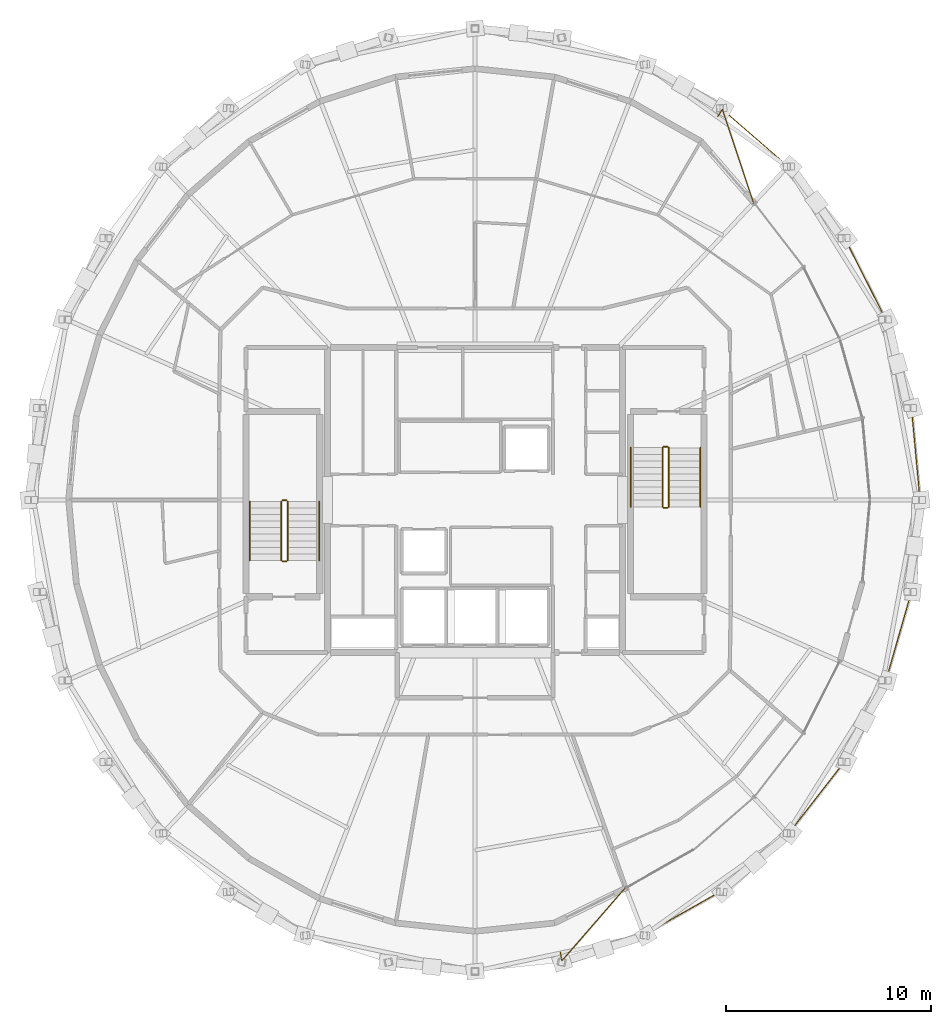
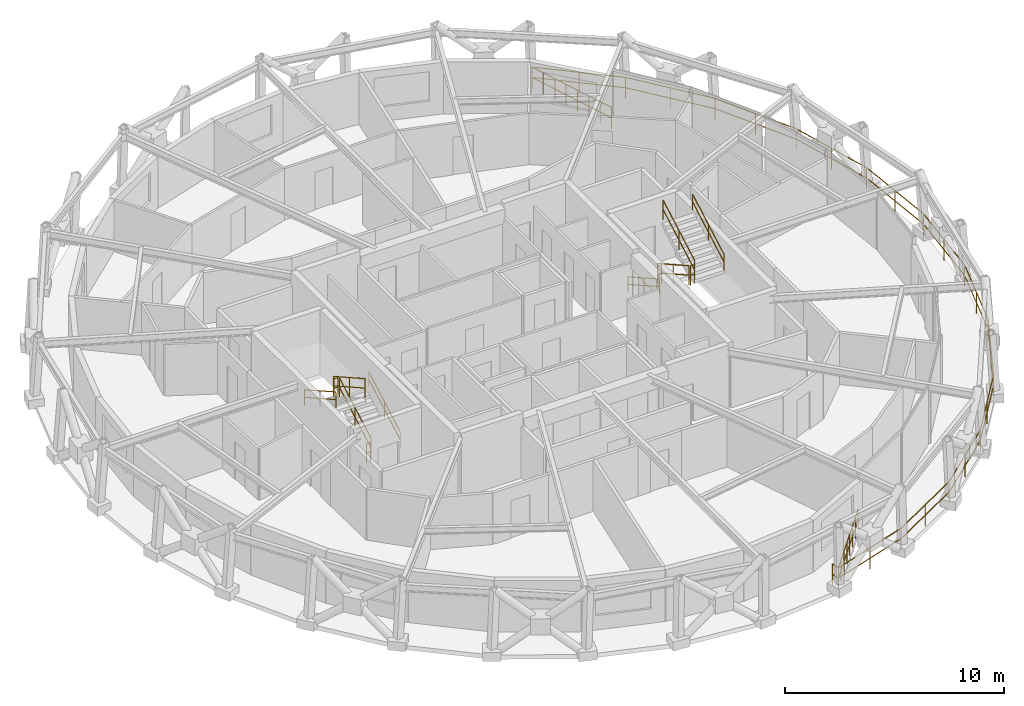
# One storey, part 15 of 15: 15 railings.
"""IFC4 building model written with IfcOpenShell, lengths in metres."""

from ifc_helpers import new_model, si_unit, direction, frame, origin, origin_2d, place, context, subcontext, project, spatial, circle, extrude, material, type_object, element, save


model = new_model("IFC4")

# Units and contexts
model_context = context("Model", 3, precision=1e-05, world=origin(), true_north=direction((0.0, 1.0)))
body_context = subcontext(model_context, "Body", "Model", "MODEL_VIEW")
ifc_project = project(units=[si_unit("LENGTHUNIT", "METRE"), si_unit("AREAUNIT", "SQUARE_METRE"), si_unit("VOLUMEUNIT", "CUBIC_METRE"), si_unit("PLANEANGLEUNIT", "RADIAN"), si_unit("MASSUNIT", "GRAM", prefix="KILO")], contexts=[model_context])

# Site, building, storey
site_placement = place(None, origin())
site = spatial("IfcSite", under=ifc_project, at=site_placement, CompositionType="ELEMENT")
building_placement = place(site_placement, origin())
building = spatial("IfcBuilding", under=site, at=building_placement, Name="Veldorina Hangang Commons", CompositionType="ELEMENT")
storey_placement = place(building_placement, frame((0.0, 0.0, 265.199951171875)))
storey = spatial("IfcBuildingStorey", under=building, at=storey_placement, Name="L69", CompositionType="ELEMENT", Elevation=265.199951171875)

# Railings
ifc_material_1 = material(Name="Glass Laminated Safety Balustrade", Category="glass")
railing_type_1 = type_object("IfcRailingType", Name="RL-BAL-LOGGIA", PredefinedType="BALUSTRADE", material=ifc_material_1)
railing_1_placement = place(storey_placement, frame((36.15966796875, 1.92431640625, 0.0)))
element("IfcRailing", 1, at=railing_1_placement, inside=storey, type_object=railing_type_1, Name="L69 sky-garden loggia end balustrade A", PredefinedType="BALUSTRADE", context=body_context, shape_type="SweptSolid", body=[
    extrude(circle(Radius=0.02392578125, at=origin_2d()), frame((0.0, 0.0, 1.17578125), z_axis=(0.185482013818, -0.982647659413, 0.0), x_axis=(0.982647659413, 0.185482013818, 0.0)), (0.0, 0.0, 1.0), 0.419921875),
    extrude(circle(Radius=0.02392578125, at=origin_2d()), frame((0.0, 0.0, 0.60009765625), z_axis=(0.185482013818, -0.982647659413, 0.0), x_axis=(0.982647659413, 0.185482013818, 0.0)), (0.0, 0.0, 1.0), 0.419921875),
    extrude(circle(Radius=0.02392578125, at=origin_2d()), frame((0.077880859375, -0.41259765625, 1.17578125), z_axis=(0.655895740916, 0.754851493374, 0.0), x_axis=(-0.754851493374, 0.655895740916, 0.0)), (0.0, 0.0, 1.0), 4.76416015625),
    extrude(circle(Radius=0.02392578125, at=origin_2d()), frame((0.077880859375, -0.41259765625, 0.60009765625), z_axis=(0.655895740916, 0.754851493374, 0.0), x_axis=(-0.754851493374, 0.655895740916, 0.0)), (0.0, 0.0, 1.0), 4.76416015625),
    extrude(circle(Radius=0.02099609375, at=origin_2d()), origin(), (0.0, 0.0, 1.0), 1.15185546875),
    extrude(circle(Radius=0.02099609375, at=origin_2d()), frame((0.077880859375, -0.41259765625, 0.0)), (0.0, 0.0, 1.0), 1.15185546875),
    extrude(circle(Radius=0.02099609375, at=origin_2d()), frame((0.524169921875, 0.10107421875, 0.0)), (0.0, 0.0, 1.0), 1.15185546875),
    extrude(circle(Radius=0.02099609375, at=origin_2d()), frame((0.970703125, 0.614990234375, 0.0)), (0.0, 0.0, 1.0), 1.15185546875),
    extrude(circle(Radius=0.02099609375, at=origin_2d()), frame((1.4169921875, 1.128662109375, 0.0)), (0.0, 0.0, 1.0), 1.15185546875),
    extrude(circle(Radius=0.02099609375, at=origin_2d()), frame((1.863525390625, 1.642333984375, 0.0)), (0.0, 0.0, 1.0), 1.15185546875),
    extrude(circle(Radius=0.02099609375, at=origin_2d()), frame((2.309814453125, 2.156005859375, 0.0)), (0.0, 0.0, 1.0), 1.15185546875),
    extrude(circle(Radius=0.02099609375, at=origin_2d()), frame((2.75634765625, 2.669921875, 0.0)), (0.0, 0.0, 1.0), 1.15185546875),
    extrude(circle(Radius=0.02099609375, at=origin_2d()), frame((3.20263671875, 3.18359375, 0.0)), (0.0, 0.0, 1.0), 1.15185546875),
])
railing_2_placement = place(storey_placement, frame((43.842041015625, 42.708984375, 0.0)))
element("IfcRailing", 2, at=railing_2_placement, inside=storey, type_object=railing_type_1, Name="L69 sky-garden loggia end balustrade B", PredefinedType="BALUSTRADE", context=body_context, shape_type="SweptSolid", body=[
    extrude(circle(Radius=0.02392578125, at=origin_2d()), frame((0.0, 0.0, 1.17578125), z_axis=(0.534955242341, 0.844880399046, 0.0), x_axis=(-0.844880399046, 0.534955242341, 0.0)), (0.0, 0.0, 1.0), 0.419921875),
    extrude(circle(Radius=0.02392578125, at=origin_2d()), frame((0.0, 0.0, 0.60009765625), z_axis=(0.534955242341, 0.844880399046, 0.0), x_axis=(-0.844880399046, 0.534955242341, 0.0)), (0.0, 0.0, 1.0), 0.419921875),
    extrude(circle(Radius=0.02392578125, at=origin_2d()), frame((0.224609375, 0.354736328125, 1.17578125), z_axis=(0.31649933997, -0.948592730205, 0.0), x_axis=(0.948592730205, 0.31649933997, 0.0)), (0.0, 0.0, 1.0), 4.854248046875),
    extrude(circle(Radius=0.02392578125, at=origin_2d()), frame((0.224609375, 0.354736328125, 0.60009765625), z_axis=(0.31649933997, -0.948592730205, 0.0), x_axis=(0.948592730205, 0.31649933997, 0.0)), (0.0, 0.0, 1.0), 4.854248046875),
    extrude(circle(Radius=0.02099609375, at=origin_2d()), origin(), (0.0, 0.0, 1.0), 1.15185546875),
    extrude(circle(Radius=0.02099609375, at=origin_2d()), frame((0.224609375, 0.354736328125, 0.0)), (0.0, 0.0, 1.0), 1.15185546875),
    extrude(circle(Radius=0.02099609375, at=origin_2d()), frame((0.444091796875, -0.302978515625, 0.0)), (0.0, 0.0, 1.0), 1.15185546875),
    extrude(circle(Radius=0.02099609375, at=origin_2d()), frame((0.66357421875, -0.9609375, 0.0)), (0.0, 0.0, 1.0), 1.15185546875),
    extrude(circle(Radius=0.02099609375, at=origin_2d()), frame((0.883056640625, -1.61865234375, 0.0)), (0.0, 0.0, 1.0), 1.15185546875),
    extrude(circle(Radius=0.02099609375, at=origin_2d()), frame((1.1025390625, -2.276611328125, 0.0)), (0.0, 0.0, 1.0), 1.15185546875),
    extrude(circle(Radius=0.02099609375, at=origin_2d()), frame((1.322021484375, -2.934326171875, 0.0)), (0.0, 0.0, 1.0), 1.15185546875),
    extrude(circle(Radius=0.02099609375, at=origin_2d()), frame((1.54150390625, -3.59228515625, 0.0)), (0.0, 0.0, 1.0), 1.15185546875),
    extrude(circle(Radius=0.02099609375, at=origin_2d()), frame((1.760986328125, -4.25, 0.0)), (0.0, 0.0, 1.0), 1.15185546875),
])
railing_3_placement = place(storey_placement, frame((36.237548828125, 1.51171875, 0.0)))
element("IfcRailing", 3, at=railing_3_placement, inside=storey, type_object=railing_type_1, Name="L69 sky-garden loggia outer balustrade", PredefinedType="BALUSTRADE", context=body_context, shape_type="SweptSolid", body=[
    extrude(circle(Radius=0.02392578125, at=origin_2d()), frame((0.0, 0.0, 1.17578125), z_axis=(0.952332670234, 0.305061444968, 0.0), x_axis=(-0.305061444968, 0.952332670234, 0.0)), (0.0, 0.0, 1.0), 4.2783203125),
    extrude(circle(Radius=0.02392578125, at=origin_2d()), frame((0.0, 0.0, 0.60009765625), z_axis=(0.952332670234, 0.305061444968, 0.0), x_axis=(-0.305061444968, 0.952332670234, 0.0)), (0.0, 0.0, 1.0), 4.2783203125),
    extrude(circle(Radius=0.02392578125, at=origin_2d()), frame((4.074462890625, 1.30517578125, 1.17578125), z_axis=(0.870841120806, 0.491564586106, 0.0), x_axis=(-0.491564586106, 0.870841120806, 0.0)), (0.0, 0.0, 1.0), 4.3115234375),
    extrude(circle(Radius=0.02392578125, at=origin_2d()), frame((4.074462890625, 1.30517578125, 0.60009765625), z_axis=(0.870841120806, 0.491564586106, 0.0), x_axis=(-0.491564586106, 0.870841120806, 0.0)), (0.0, 0.0, 1.0), 4.3115234375),
    extrude(circle(Radius=0.02392578125, at=origin_2d()), frame((7.8291015625, 3.424560546875, 1.17578125), z_axis=(0.755711281008, 0.654904924212, 0.0), x_axis=(-0.654904924212, 0.755711281008, 0.0)), (0.0, 0.0, 1.0), 4.3544921875),
    extrude(circle(Radius=0.02392578125, at=origin_2d()), frame((7.8291015625, 3.424560546875, 0.60009765625), z_axis=(0.755711281008, 0.654904924212, 0.0), x_axis=(-0.654904924212, 0.755711281008, 0.0)), (0.0, 0.0, 1.0), 4.3544921875),
    extrude(circle(Radius=0.02392578125, at=origin_2d()), frame((11.119873046875, 6.2763671875, 1.17578125), z_axis=(0.613591039447, 0.789623984128, 0.0), x_axis=(-0.789623984128, 0.613591039447, 0.0)), (0.0, 0.0, 1.0), 4.400634765625),
    extrude(circle(Radius=0.02392578125, at=origin_2d()), frame((11.119873046875, 6.2763671875, 0.60009765625), z_axis=(0.613591039447, 0.789623984128, 0.0), x_axis=(-0.789623984128, 0.613591039447, 0.0)), (0.0, 0.0, 1.0), 4.400634765625),
    extrude(circle(Radius=0.02392578125, at=origin_2d()), frame((13.820068359375, 9.751220703125, 1.17578125), z_axis=(0.45160444009, 0.892218263482, 0.0), x_axis=(-0.892218263482, 0.45160444009, 0.0)), (0.0, 0.0, 1.0), 4.442626953125),
    extrude(circle(Radius=0.02392578125, at=origin_2d()), frame((13.820068359375, 9.751220703125, 0.60009765625), z_axis=(0.45160444009, 0.892218263482, 0.0), x_axis=(-0.892218263482, 0.45160444009, 0.0)), (0.0, 0.0, 1.0), 4.442626953125),
    extrude(circle(Radius=0.02392578125, at=origin_2d()), frame((15.826416015625, 13.715087890625, 1.17578125), z_axis=(0.276075600124, 0.961135923278, 0.0), x_axis=(-0.961135923278, 0.276075600124, 0.0)), (0.0, 0.0, 1.0), 4.474609375),
    extrude(circle(Radius=0.02392578125, at=origin_2d()), frame((15.826416015625, 13.715087890625, 0.60009765625), z_axis=(0.276075600124, 0.961135923278, 0.0), x_axis=(-0.961135923278, 0.276075600124, 0.0)), (0.0, 0.0, 1.0), 4.474609375),
    extrude(circle(Radius=0.02392578125, at=origin_2d()), frame((17.061767578125, 18.015869140625, 1.17578125), z_axis=(0.092833898621, 0.995681609385, 0.0), x_axis=(-0.995681609385, 0.092833898621, 0.0)), (0.0, 0.0, 1.0), 4.49169921875),
    extrude(circle(Radius=0.02392578125, at=origin_2d()), frame((17.061767578125, 18.015869140625, 0.60009765625), z_axis=(0.092833898621, 0.995681609385, 0.0), x_axis=(-0.995681609385, 0.092833898621, 0.0)), (0.0, 0.0, 1.0), 4.49169921875),
    extrude(circle(Radius=0.02392578125, at=origin_2d()), frame((17.478759765625, 22.48828125, 1.17578125), z_axis=(-0.092833898621, 0.995681609385, 0.0), x_axis=(-0.995681609385, -0.092833898621, 0.0)), (0.0, 0.0, 1.0), 4.49169921875),
    extrude(circle(Radius=0.02392578125, at=origin_2d()), frame((17.478759765625, 22.48828125, 0.60009765625), z_axis=(-0.092833898621, 0.995681609385, 0.0), x_axis=(-0.995681609385, -0.092833898621, 0.0)), (0.0, 0.0, 1.0), 4.49169921875),
    extrude(circle(Radius=0.02392578125, at=origin_2d()), frame((17.061767578125, 26.960693359375, 1.17578125), z_axis=(-0.276075600124, 0.961135923278, 0.0), x_axis=(-0.961135923278, -0.276075600124, 0.0)), (0.0, 0.0, 1.0), 4.474609375),
    extrude(circle(Radius=0.02392578125, at=origin_2d()), frame((17.061767578125, 26.960693359375, 0.60009765625), z_axis=(-0.276075600124, 0.961135923278, 0.0), x_axis=(-0.961135923278, -0.276075600124, 0.0)), (0.0, 0.0, 1.0), 4.474609375),
    extrude(circle(Radius=0.02392578125, at=origin_2d()), frame((15.826416015625, 31.261474609375, 1.17578125), z_axis=(-0.45160444009, 0.892218263482, 0.0), x_axis=(-0.892218263482, -0.45160444009, 0.0)), (0.0, 0.0, 1.0), 4.442626953125),
    extrude(circle(Radius=0.02392578125, at=origin_2d()), frame((15.826416015625, 31.261474609375, 0.60009765625), z_axis=(-0.45160444009, 0.892218263482, 0.0), x_axis=(-0.892218263482, -0.45160444009, 0.0)), (0.0, 0.0, 1.0), 4.442626953125),
    extrude(circle(Radius=0.02392578125, at=origin_2d()), frame((13.820068359375, 35.225341796875, 1.17578125), z_axis=(-0.613591039447, 0.789623984128, 0.0), x_axis=(-0.789623984128, -0.613591039447, 0.0)), (0.0, 0.0, 1.0), 4.400634765625),
    extrude(circle(Radius=0.02392578125, at=origin_2d()), frame((13.820068359375, 35.225341796875, 0.60009765625), z_axis=(-0.613591039447, 0.789623984128, 0.0), x_axis=(-0.789623984128, -0.613591039447, 0.0)), (0.0, 0.0, 1.0), 4.400634765625),
    extrude(circle(Radius=0.02392578125, at=origin_2d()), frame((11.119873046875, 38.7001953125, 1.17578125), z_axis=(-0.755711281008, 0.654904924212, 0.0), x_axis=(-0.654904924212, -0.755711281008, 0.0)), (0.0, 0.0, 1.0), 4.3544921875),
    extrude(circle(Radius=0.02392578125, at=origin_2d()), frame((11.119873046875, 38.7001953125, 0.60009765625), z_axis=(-0.755711281008, 0.654904924212, 0.0), x_axis=(-0.654904924212, -0.755711281008, 0.0)), (0.0, 0.0, 1.0), 4.3544921875),
    extrude(circle(Radius=0.02099609375, at=origin_2d()), origin(), (0.0, 0.0, 1.0), 1.15185546875),
    extrude(circle(Radius=0.02099609375, at=origin_2d()), frame((2.037109375, 0.652587890625, 0.0)), (0.0, 0.0, 1.0), 1.15185546875),
    extrude(circle(Radius=0.02099609375, at=origin_2d()), frame((4.074462890625, 1.30517578125, 0.0)), (0.0, 0.0, 1.0), 1.15185546875),
    extrude(circle(Radius=0.02099609375, at=origin_2d()), frame((5.95166015625, 2.36474609375, 0.0)), (0.0, 0.0, 1.0), 1.15185546875),
    extrude(circle(Radius=0.02099609375, at=origin_2d()), frame((7.8291015625, 3.424560546875, 0.0)), (0.0, 0.0, 1.0), 1.15185546875),
    extrude(circle(Radius=0.02099609375, at=origin_2d()), frame((9.474609375, 4.8505859375, 0.0)), (0.0, 0.0, 1.0), 1.15185546875),
    extrude(circle(Radius=0.02099609375, at=origin_2d()), frame((11.119873046875, 6.2763671875, 0.0)), (0.0, 0.0, 1.0), 1.15185546875),
    extrude(circle(Radius=0.02099609375, at=origin_2d()), frame((12.469970703125, 8.013671875, 0.0)), (0.0, 0.0, 1.0), 1.15185546875),
    extrude(circle(Radius=0.02099609375, at=origin_2d()), frame((13.820068359375, 9.751220703125, 0.0)), (0.0, 0.0, 1.0), 1.15185546875),
    extrude(circle(Radius=0.02099609375, at=origin_2d()), frame((14.8232421875, 11.733154296875, 0.0)), (0.0, 0.0, 1.0), 1.15185546875),
    extrude(circle(Radius=0.02099609375, at=origin_2d()), frame((15.826416015625, 13.715087890625, 0.0)), (0.0, 0.0, 1.0), 1.15185546875),
    extrude(circle(Radius=0.02099609375, at=origin_2d()), frame((16.444091796875, 15.865478515625, 0.0)), (0.0, 0.0, 1.0), 1.15185546875),
    extrude(circle(Radius=0.02099609375, at=origin_2d()), frame((17.061767578125, 18.015869140625, 0.0)), (0.0, 0.0, 1.0), 1.15185546875),
    extrude(circle(Radius=0.02099609375, at=origin_2d()), frame((17.270263671875, 20.251953125, 0.0)), (0.0, 0.0, 1.0), 1.15185546875),
    extrude(circle(Radius=0.02099609375, at=origin_2d()), frame((17.478759765625, 22.48828125, 0.0)), (0.0, 0.0, 1.0), 1.15185546875),
    extrude(circle(Radius=0.02099609375, at=origin_2d()), frame((17.270263671875, 24.724609375, 0.0)), (0.0, 0.0, 1.0), 1.15185546875),
    extrude(circle(Radius=0.02099609375, at=origin_2d()), frame((17.061767578125, 26.960693359375, 0.0)), (0.0, 0.0, 1.0), 1.15185546875),
    extrude(circle(Radius=0.02099609375, at=origin_2d()), frame((16.444091796875, 29.111083984375, 0.0)), (0.0, 0.0, 1.0), 1.15185546875),
    extrude(circle(Radius=0.02099609375, at=origin_2d()), frame((15.826416015625, 31.261474609375, 0.0)), (0.0, 0.0, 1.0), 1.15185546875),
    extrude(circle(Radius=0.02099609375, at=origin_2d()), frame((14.8232421875, 33.243408203125, 0.0)), (0.0, 0.0, 1.0), 1.15185546875),
    extrude(circle(Radius=0.02099609375, at=origin_2d()), frame((13.820068359375, 35.225341796875, 0.0)), (0.0, 0.0, 1.0), 1.15185546875),
    extrude(circle(Radius=0.02099609375, at=origin_2d()), frame((12.469970703125, 36.962890625, 0.0)), (0.0, 0.0, 1.0), 1.15185546875),
    extrude(circle(Radius=0.02099609375, at=origin_2d()), frame((11.119873046875, 38.7001953125, 0.0)), (0.0, 0.0, 1.0), 1.15185546875),
    extrude(circle(Radius=0.02099609375, at=origin_2d()), frame((9.474609375, 40.1259765625, 0.0)), (0.0, 0.0, 1.0), 1.15185546875),
    extrude(circle(Radius=0.02099609375, at=origin_2d()), frame((7.8291015625, 41.552001953125, 0.0)), (0.0, 0.0, 1.0), 1.15185546875),
])
ifc_material_2 = material(Name="Steel Painted Balustrade", Category="steel")
railing_type_2 = type_object("IfcRailingType", Name="RL-GRD-STAIR", PredefinedType="GUARDRAIL", material=ifc_material_2)
railing_4_placement = place(storey_placement, frame((22.85009765625, 21.050048828125, 0.179931640625)))
element("IfcRailing", 4, at=railing_4_placement, inside=storey, type_object=railing_type_2, Name="L69 ST-1 stair guard 1", PredefinedType="GUARDRAIL", context=body_context, shape_type="SweptSolid", body=[
    extrude(circle(Radius=0.02392578125, at=origin_2d()), frame((0.0, 0.0, 1.076171875), z_axis=(0.0, 0.87155185771, 0.490303333991), x_axis=(-1.0, 0.0, 0.0)), (0.0, 0.0, 1.0), 3.30419921875),
    extrude(circle(Radius=0.02392578125, at=origin_2d()), frame((0.0, 0.0, 0.550048828125), z_axis=(0.0, 0.87155185771, 0.490303333991), x_axis=(-1.0, 0.0, 0.0)), (0.0, 0.0, 1.0), 3.30419921875),
    extrude(circle(Radius=0.02099609375, at=origin_2d()), origin(), (0.0, 0.0, 1.0), 1.052001953125),
    extrude(circle(Radius=0.02099609375, at=origin_2d()), frame((0.0, 1.43994140625, 0.81005859375)), (0.0, 0.0, 1.0), 1.052001953125),
    extrude(circle(Radius=0.02099609375, at=origin_2d()), frame((0.0, 2.8798828125, 1.6201171875)), (0.0, 0.0, 1.0), 1.052001953125),
])
railing_5_placement = place(storey_placement, frame((22.800048828125, 23.97998046875, 1.800048828125)))
element("IfcRailing", 5, at=railing_5_placement, inside=storey, type_object=railing_type_2, Name="L69 ST-1 stair guard 2", PredefinedType="GUARDRAIL", context=body_context, shape_type="SweptSolid", body=[
    extrude(circle(Radius=0.02392578125, at=origin_2d()), frame((0.0, 0.0, 1.076171875), z_axis=(-1.0, 0.0, 0.0), x_axis=(0.0, -1.0, 0.0)), (0.0, 0.0, 1.0), 0.199951171875),
    extrude(circle(Radius=0.02392578125, at=origin_2d()), frame((0.0, 0.0, 0.550048828125), z_axis=(-1.0, 0.0, 0.0), x_axis=(0.0, -1.0, 0.0)), (0.0, 0.0, 1.0), 0.199951171875),
    extrude(circle(Radius=0.02099609375, at=origin_2d()), origin(), (0.0, 0.0, 1.0), 1.052001953125),
    extrude(circle(Radius=0.02099609375, at=origin_2d()), frame((-0.199951171875, 0.0, 0.0)), (0.0, 0.0, 1.0), 1.052001953125),
])
railing_6_placement = place(storey_placement, frame((22.550048828125, 23.929931640625, 1.97998046875)))
element("IfcRailing", 6, at=railing_6_placement, inside=storey, type_object=railing_type_2, Name="L69 ST-1 stair guard 3", PredefinedType="GUARDRAIL", context=body_context, shape_type="SweptSolid", body=[
    extrude(circle(Radius=0.02392578125, at=origin_2d()), frame((0.0, 0.0, 1.076171875), z_axis=(0.0, -0.87155185771, 0.490303333991), x_axis=(1.0, 0.0, 0.0)), (0.0, 0.0, 1.0), 3.30419921875),
    extrude(circle(Radius=0.02392578125, at=origin_2d()), frame((0.0, 0.0, 0.550048828125), z_axis=(0.0, -0.87155185771, 0.490303333991), x_axis=(1.0, 0.0, 0.0)), (0.0, 0.0, 1.0), 3.30419921875),
    extrude(circle(Radius=0.02099609375, at=origin_2d()), origin(), (0.0, 0.0, 1.0), 1.052001953125),
    extrude(circle(Radius=0.02099609375, at=origin_2d()), frame((0.0, -1.43994140625, 0.81005859375)), (0.0, 0.0, 1.0), 1.052001953125),
    extrude(circle(Radius=0.02099609375, at=origin_2d()), frame((0.0, -2.8798828125, 1.6201171875)), (0.0, 0.0, 1.0), 1.052001953125),
])
railing_7_placement = place(storey_placement, frame((22.800048828125, 21.0, 0.0)))
element("IfcRailing", 7, at=railing_7_placement, inside=storey, type_object=railing_type_2, Name="L69 ST-1 stair guard 4", PredefinedType="GUARDRAIL", context=body_context, shape_type="SweptSolid", body=[
    extrude(circle(Radius=0.02392578125, at=origin_2d()), frame((0.0, 0.0, 1.076171875), z_axis=(-1.0, 0.0, 0.0), x_axis=(0.0, -1.0, 0.0)), (0.0, 0.0, 1.0), 0.199951171875),
    extrude(circle(Radius=0.02392578125, at=origin_2d()), frame((0.0, 0.0, 0.550048828125), z_axis=(-1.0, 0.0, 0.0), x_axis=(0.0, -1.0, 0.0)), (0.0, 0.0, 1.0), 0.199951171875),
    extrude(circle(Radius=0.02099609375, at=origin_2d()), origin(), (0.0, 0.0, 1.0), 1.052001953125),
    extrude(circle(Radius=0.02099609375, at=origin_2d()), frame((-0.199951171875, 0.0, 0.0)), (0.0, 0.0, 1.0), 1.052001953125),
])
railing_8_placement = place(storey_placement, frame((41.14990234375, 26.550048828125, 0.179931640625)))
element("IfcRailing", 8, at=railing_8_placement, inside=storey, type_object=railing_type_2, Name="L69 ST-2 stair guard 1", PredefinedType="GUARDRAIL", context=body_context, shape_type="SweptSolid", body=[
    extrude(circle(Radius=0.02392578125, at=origin_2d()), frame((0.0, 0.0, 1.076171875), z_axis=(0.0, -0.871569617843, 0.490271762652), x_axis=(1.0, 0.0, 0.0)), (0.0, 0.0, 1.0), 3.304443359375),
    extrude(circle(Radius=0.02392578125, at=origin_2d()), frame((0.0, 0.0, 0.550048828125), z_axis=(0.0, -0.871569617843, 0.490271762652), x_axis=(1.0, 0.0, 0.0)), (0.0, 0.0, 1.0), 3.304443359375),
    extrude(circle(Radius=0.02099609375, at=origin_2d()), origin(), (0.0, 0.0, 1.0), 1.052001953125),
    extrude(circle(Radius=0.02099609375, at=origin_2d()), frame((0.0, -1.43994140625, 0.81005859375)), (0.0, 0.0, 1.0), 1.052001953125),
    extrude(circle(Radius=0.02099609375, at=origin_2d()), frame((0.0, -2.880126953125, 1.6201171875)), (0.0, 0.0, 1.0), 1.052001953125),
])
railing_9_placement = place(storey_placement, frame((41.199951171875, 23.6201171875, 1.800048828125)))
element("IfcRailing", 9, at=railing_9_placement, inside=storey, type_object=railing_type_2, Name="L69 ST-2 stair guard 2", PredefinedType="GUARDRAIL", context=body_context, shape_type="SweptSolid", body=[
    extrude(circle(Radius=0.02392578125, at=origin_2d()), frame((0.0, 0.0, 1.076171875), z_axis=(1.0, 0.0, 0.0), x_axis=(0.0, 1.0, 0.0)), (0.0, 0.0, 1.0), 0.199951171875),
    extrude(circle(Radius=0.02392578125, at=origin_2d()), frame((0.0, 0.0, 0.550048828125), z_axis=(1.0, 0.0, 0.0), x_axis=(0.0, 1.0, 0.0)), (0.0, 0.0, 1.0), 0.199951171875),
    extrude(circle(Radius=0.02099609375, at=origin_2d()), origin(), (0.0, 0.0, 1.0), 1.052001953125),
    extrude(circle(Radius=0.02099609375, at=origin_2d()), frame((0.199951171875, 0.0, 0.0)), (0.0, 0.0, 1.0), 1.052001953125),
])
railing_10_placement = place(storey_placement, frame((41.449951171875, 23.669921875, 1.97998046875)))
element("IfcRailing", 10, at=railing_10_placement, inside=storey, type_object=railing_type_2, Name="L69 ST-2 stair guard 3", PredefinedType="GUARDRAIL", context=body_context, shape_type="SweptSolid", body=[
    extrude(circle(Radius=0.02392578125, at=origin_2d()), frame((0.0, 0.0, 1.076171875), z_axis=(0.0, 0.871569617843, 0.490271762652), x_axis=(-1.0, 0.0, 0.0)), (0.0, 0.0, 1.0), 3.304443359375),
    extrude(circle(Radius=0.02392578125, at=origin_2d()), frame((0.0, 0.0, 0.550048828125), z_axis=(0.0, 0.871569617843, 0.490271762652), x_axis=(-1.0, 0.0, 0.0)), (0.0, 0.0, 1.0), 3.304443359375),
    extrude(circle(Radius=0.02099609375, at=origin_2d()), origin(), (0.0, 0.0, 1.0), 1.052001953125),
    extrude(circle(Radius=0.02099609375, at=origin_2d()), frame((0.0, 1.43994140625, 0.81005859375)), (0.0, 0.0, 1.0), 1.052001953125),
    extrude(circle(Radius=0.02099609375, at=origin_2d()), frame((0.0, 2.880126953125, 1.6201171875)), (0.0, 0.0, 1.0), 1.052001953125),
])
railing_11_placement = place(storey_placement, frame((41.199951171875, 26.60009765625, 0.0)))
element("IfcRailing", 11, at=railing_11_placement, inside=storey, type_object=railing_type_2, Name="L69 ST-2 stair guard 4", PredefinedType="GUARDRAIL", context=body_context, shape_type="SweptSolid", body=[
    extrude(circle(Radius=0.02392578125, at=origin_2d()), frame((0.0, 0.0, 1.076171875), z_axis=(1.0, 0.0, 0.0), x_axis=(0.0, 1.0, 0.0)), (0.0, 0.0, 1.0), 0.199951171875),
    extrude(circle(Radius=0.02392578125, at=origin_2d()), frame((0.0, 0.0, 0.550048828125), z_axis=(1.0, 0.0, 0.0), x_axis=(0.0, 1.0, 0.0)), (0.0, 0.0, 1.0), 0.199951171875),
    extrude(circle(Radius=0.02099609375, at=origin_2d()), origin(), (0.0, 0.0, 1.0), 1.052001953125),
    extrude(circle(Radius=0.02099609375, at=origin_2d()), frame((0.199951171875, 0.0, 0.0)), (0.0, 0.0, 1.0), 1.052001953125),
])
ifc_material_3 = material(Name="Stainless Steel Brushed 316", Category="steel")
railing_type_3 = type_object("IfcRailingType", Name="RL-HND-STAIR", PredefinedType="HANDRAIL", material=ifc_material_3)
railing_12_placement = place(storey_placement, frame((24.39990234375, 21.050048828125, 0.179931640625)))
element("IfcRailing", 12, at=railing_12_placement, inside=storey, type_object=railing_type_3, Name="L69 ST-1 stair handrail 1", PredefinedType="HANDRAIL", context=body_context, shape_type="SweptSolid", body=[
    extrude(circle(Radius=0.02392578125, at=origin_2d()), frame((0.0, 0.0, 0.8759765625), z_axis=(0.0, 0.87155185771, 0.490303333991), x_axis=(-1.0, 0.0, 0.0)), (0.0, 0.0, 1.0), 3.30419921875),
    extrude(circle(Radius=0.02392578125, at=origin_2d()), frame((0.0, 0.0, 0.449951171875), z_axis=(0.0, 0.87155185771, 0.490303333991), x_axis=(-1.0, 0.0, 0.0)), (0.0, 0.0, 1.0), 3.30419921875),
    extrude(circle(Radius=0.02099609375, at=origin_2d()), origin(), (0.0, 0.0, 1.0), 0.851806640625),
    extrude(circle(Radius=0.02099609375, at=origin_2d()), frame((0.0, 1.43994140625, 0.81005859375)), (0.0, 0.0, 1.0), 0.851806640625),
    extrude(circle(Radius=0.02099609375, at=origin_2d()), frame((0.0, 2.8798828125, 1.6201171875)), (0.0, 0.0, 1.0), 0.851806640625),
])
railing_13_placement = place(storey_placement, frame((21.0, 23.929931640625, 1.97998046875)))
element("IfcRailing", 13, at=railing_13_placement, inside=storey, type_object=railing_type_3, Name="L69 ST-1 stair handrail 2", PredefinedType="HANDRAIL", context=body_context, shape_type="SweptSolid", body=[
    extrude(circle(Radius=0.02392578125, at=origin_2d()), frame((0.0, 0.0, 0.8759765625), z_axis=(0.0, -0.87155185771, 0.490303333991), x_axis=(1.0, 0.0, 0.0)), (0.0, 0.0, 1.0), 3.30419921875),
    extrude(circle(Radius=0.02392578125, at=origin_2d()), frame((0.0, 0.0, 0.449951171875), z_axis=(0.0, -0.87155185771, 0.490303333991), x_axis=(1.0, 0.0, 0.0)), (0.0, 0.0, 1.0), 3.30419921875),
    extrude(circle(Radius=0.02099609375, at=origin_2d()), origin(), (0.0, 0.0, 1.0), 0.851806640625),
    extrude(circle(Radius=0.02099609375, at=origin_2d()), frame((0.0, -1.43994140625, 0.81005859375)), (0.0, 0.0, 1.0), 0.851806640625),
    extrude(circle(Radius=0.02099609375, at=origin_2d()), frame((0.0, -2.8798828125, 1.6201171875)), (0.0, 0.0, 1.0), 0.851806640625),
])
railing_14_placement = place(storey_placement, frame((39.60009765625, 26.550048828125, 0.179931640625)))
element("IfcRailing", 14, at=railing_14_placement, inside=storey, type_object=railing_type_3, Name="L69 ST-2 stair handrail 1", PredefinedType="HANDRAIL", context=body_context, shape_type="SweptSolid", body=[
    extrude(circle(Radius=0.02392578125, at=origin_2d()), frame((0.0, 0.0, 0.8759765625), z_axis=(0.0, -0.871569617843, 0.490271762652), x_axis=(1.0, 0.0, 0.0)), (0.0, 0.0, 1.0), 3.304443359375),
    extrude(circle(Radius=0.02392578125, at=origin_2d()), frame((0.0, 0.0, 0.449951171875), z_axis=(0.0, -0.871569617843, 0.490271762652), x_axis=(1.0, 0.0, 0.0)), (0.0, 0.0, 1.0), 3.304443359375),
    extrude(circle(Radius=0.02099609375, at=origin_2d()), origin(), (0.0, 0.0, 1.0), 0.851806640625),
    extrude(circle(Radius=0.02099609375, at=origin_2d()), frame((0.0, -1.43994140625, 0.81005859375)), (0.0, 0.0, 1.0), 0.851806640625),
    extrude(circle(Radius=0.02099609375, at=origin_2d()), frame((0.0, -2.880126953125, 1.6201171875)), (0.0, 0.0, 1.0), 0.851806640625),
])
railing_15_placement = place(storey_placement, frame((43.0, 23.669921875, 1.97998046875)))
element("IfcRailing", 15, at=railing_15_placement, inside=storey, type_object=railing_type_3, Name="L69 ST-2 stair handrail 2", PredefinedType="HANDRAIL", context=body_context, shape_type="SweptSolid", body=[
    extrude(circle(Radius=0.02392578125, at=origin_2d()), frame((0.0, 0.0, 0.8759765625), z_axis=(0.0, 0.871569617843, 0.490271762652), x_axis=(-1.0, 0.0, 0.0)), (0.0, 0.0, 1.0), 3.304443359375),
    extrude(circle(Radius=0.02392578125, at=origin_2d()), frame((0.0, 0.0, 0.449951171875), z_axis=(0.0, 0.871569617843, 0.490271762652), x_axis=(-1.0, 0.0, 0.0)), (0.0, 0.0, 1.0), 3.304443359375),
    extrude(circle(Radius=0.02099609375, at=origin_2d()), origin(), (0.0, 0.0, 1.0), 0.851806640625),
    extrude(circle(Radius=0.02099609375, at=origin_2d()), frame((0.0, 1.43994140625, 0.81005859375)), (0.0, 0.0, 1.0), 0.851806640625),
    extrude(circle(Radius=0.02099609375, at=origin_2d()), frame((0.0, 2.880126953125, 1.6201171875)), (0.0, 0.0, 1.0), 0.851806640625),
])

save(model, "model.ifc")
